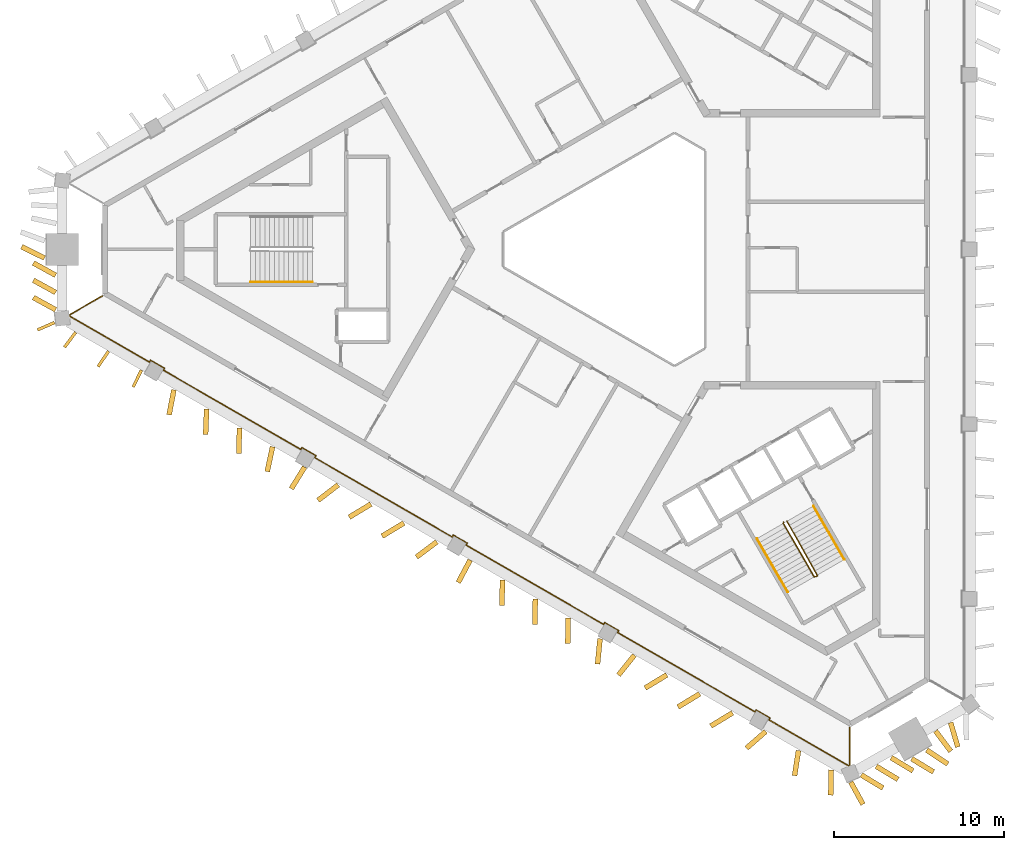
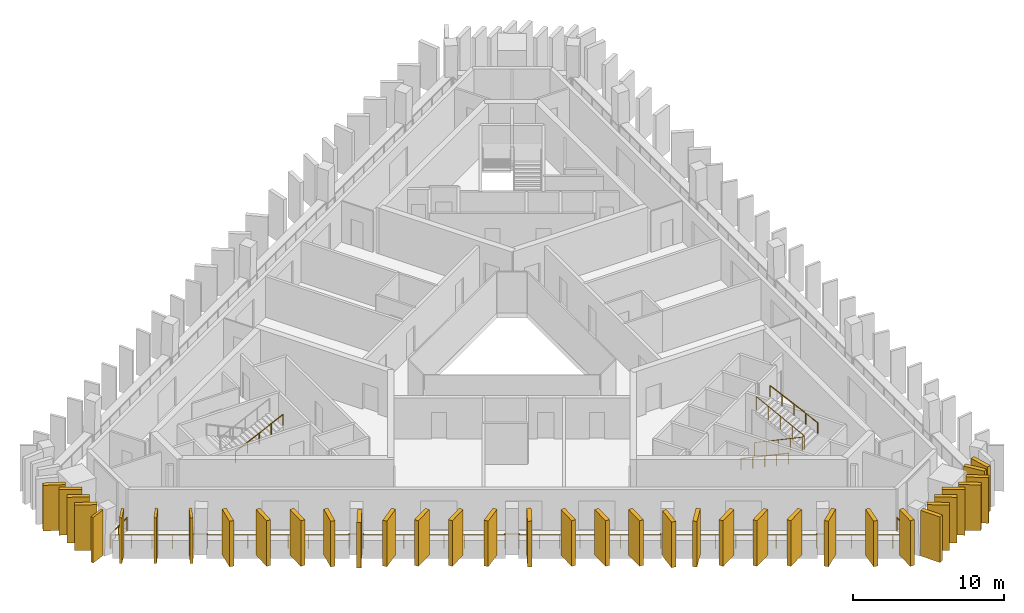
# One storey, part 7 of 9: 37 shading devices, 5 railings.
"""IFC4 building model written with IfcOpenShell, lengths in metres."""

from ifc_helpers import new_model, si_unit, direction, frame, frame_2d, origin, origin_2d, place, context, subcontext, project, spatial, rectangle, circle, extrude, material, layer, layer_set, type_object, element, save


model = new_model("IFC4")

# Units and contexts
model_context = context("Model", 3, precision=1e-05, world=origin(), true_north=direction((0.0, 1.0)))
body_context = subcontext(model_context, "Body", "Model", "MODEL_VIEW")
ifc_project = project(units=[si_unit("LENGTHUNIT", "METRE"), si_unit("AREAUNIT", "SQUARE_METRE"), si_unit("VOLUMEUNIT", "CUBIC_METRE"), si_unit("PLANEANGLEUNIT", "RADIAN"), si_unit("MASSUNIT", "GRAM", prefix="KILO")], contexts=[model_context])

# Site, building, storey
site_placement = place(None, origin())
site = spatial("IfcSite", under=ifc_project, at=site_placement, CompositionType="ELEMENT")
building_placement = place(site_placement, origin())
building = spatial("IfcBuilding", under=site, at=building_placement, Name="Jabali Bay Hotel Tower and Convention Centre", CompositionType="ELEMENT")
storey_placement = place(building_placement, frame((0.0, 0.0, 220.60009765625)))
storey = spatial("IfcBuildingStorey", under=building, at=storey_placement, Name="L54", CompositionType="ELEMENT", Elevation=220.60009765625)

# Railing
ifc_material_1 = material(Name="Glass", Category="glass")
railing_type_1 = type_object("IfcRailingType", Name="Loggia glass guard 1100", PredefinedType="BALUSTRADE", material=ifc_material_1)
railing_1_placement = place(storey_placement, frame((88.104736328125, 51.8203125, 0.0)))
element("IfcRailing", 1, at=railing_1_placement, inside=storey, type_object=railing_type_1, Name="Loggia glass guard L54", PredefinedType="BALUSTRADE", context=body_context, shape_type="SweptSolid", body=[
    extrude(circle(Radius=0.02490234375, at=origin_2d()), frame((0.0, 0.0, 1.0751953125), z_axis=(0.0, -1.0, 0.0), x_axis=(0.991444861374, 0.0, 0.13052619222)), (0.0, 0.0, 1.0), 2.24755859375),
    extrude(circle(Radius=0.02490234375, at=origin_2d()), frame((0.0, -2.24755859375, 1.0751953125), z_axis=(-0.921017487124, -0.389521229732, 0.0), x_axis=(0.386188821614, -0.913138054844, 0.13052619222)), (0.0, 0.0, 1.0), 0.067138671875),
    extrude(circle(Radius=0.02490234375, at=origin_2d()), frame((-0.061767578125, -2.273681640625, 1.0751953125), z_axis=(-0.866047140271, 0.499962349412, 0.0), x_axis=(-0.495685102204, -0.858637986929, 0.13052619222)), (0.0, 0.0, 1.0), 5.4326171875),
    extrude(circle(Radius=0.02490234375, at=origin_2d()), frame((-4.7666015625, 0.4423828125, 1.0751953125), z_axis=(0.499497219344, 0.8663154898, 0.0), x_axis=(-0.858904040691, 0.495223951389, 0.13052619222)), (0.0, 0.0, 1.0), 0.125244140625),
    extrude(circle(Radius=0.02490234375, at=origin_2d()), frame((-4.7041015625, 0.55078125, 1.0751953125), z_axis=(-0.866035761792, 0.499982058975, 0.0), x_axis=(-0.49570464315, -0.858626705795, 0.13052619222)), (0.0, 0.0, 1.0), 0.94970703125),
    extrude(circle(Radius=0.02490234375, at=origin_2d()), frame((-5.526611328125, 1.025634765625, 1.0751953125), z_axis=(-0.500342721131, -0.865827443207, 0.0), x_axis=(0.858420169404, -0.496062219791, 0.13052619222)), (0.0, 0.0, 1.0), 0.125),
    extrude(circle(Radius=0.02490234375, at=origin_2d()), frame((-5.589111328125, 0.91748046875, 1.0751953125), z_axis=(-0.866025262398, 0.500000244889, 0.0), x_axis=(-0.495722673481, -0.858616296224, 0.13052619222)), (0.0, 0.0, 1.0), 9.357421875),
    extrude(circle(Radius=0.02490234375, at=origin_2d()), frame((-13.69287109375, 5.59619140625, 1.0751953125), z_axis=(0.500342721131, 0.865827443207, 0.0), x_axis=(-0.858420169404, 0.496062219791, 0.13052619222)), (0.0, 0.0, 1.0), 0.125),
    extrude(circle(Radius=0.02490234375, at=origin_2d()), frame((-13.63037109375, 5.704345703125, 1.0751953125), z_axis=(-0.865988727248, 0.500063520245, 0.0), x_axis=(-0.495785407507, -0.858580073638, 0.13052619222)), (0.0, 0.0, 1.0), 0.9501953125),
    extrude(circle(Radius=0.02490234375, at=origin_2d()), frame((-14.453125, 6.179443359375, 1.0751953125), z_axis=(-0.500342721131, -0.865827443207, 0.0), x_axis=(0.858420169404, -0.496062219791, 0.13052619222)), (0.0, 0.0, 1.0), 0.125),
    extrude(circle(Radius=0.02490234375, at=origin_2d()), frame((-14.515625, 6.0712890625, 1.0751953125), z_axis=(-0.866036559889, 0.499980676563, 0.0), x_axis=(-0.495703272564, -0.858627497064, 0.13052619222)), (0.0, 0.0, 1.0), 9.357177734375),
    extrude(circle(Radius=0.02490234375, at=origin_2d()), frame((-22.619384765625, 10.749755859375, 1.0751953125), z_axis=(0.499497219344, 0.8663154898, 0.0), x_axis=(-0.858904040691, 0.495223951389, 0.13052619222)), (0.0, 0.0, 1.0), 0.125244140625),
    extrude(circle(Radius=0.02490234375, at=origin_2d()), frame((-22.556884765625, 10.858154296875, 1.0751953125), z_axis=(-0.866100000774, 0.49987077196, 0.0), x_axis=(-0.495594308211, -0.858690395203, 0.13052619222)), (0.0, 0.0, 1.0), 0.949951171875),
    extrude(circle(Radius=0.02490234375, at=origin_2d()), frame((-23.379638671875, 11.3330078125, 1.0751953125), z_axis=(-0.500342721131, -0.865827443207, 0.0), x_axis=(0.858420169404, -0.496062219791, 0.13052619222)), (0.0, 0.0, 1.0), 0.125),
    extrude(circle(Radius=0.02490234375, at=origin_2d()), frame((-23.442138671875, 11.224853515625, 1.0751953125), z_axis=(-0.866025262398, 0.500000244889, 0.0), x_axis=(-0.495722673481, -0.858616296224, 0.13052619222)), (0.0, 0.0, 1.0), 9.357421875),
    extrude(circle(Radius=0.02490234375, at=origin_2d()), frame((-31.5458984375, 15.903564453125, 1.0751953125), z_axis=(0.500342721131, 0.865827443207, 0.0), x_axis=(-0.858420169404, 0.496062219791, 0.13052619222)), (0.0, 0.0, 1.0), 0.125),
    extrude(circle(Radius=0.02490234375, at=origin_2d()), frame((-31.4833984375, 16.01171875, 1.0751953125), z_axis=(-0.865988727248, 0.500063520245, 0.0), x_axis=(-0.495785407507, -0.858580073638, 0.13052619222)), (0.0, 0.0, 1.0), 0.9501953125),
    extrude(circle(Radius=0.02490234375, at=origin_2d()), frame((-32.30615234375, 16.48681640625, 1.0751953125), z_axis=(-0.500342721131, -0.865827443207, 0.0), x_axis=(0.858420169404, -0.496062219791, 0.13052619222)), (0.0, 0.0, 1.0), 0.125),
    extrude(circle(Radius=0.02490234375, at=origin_2d()), frame((-32.36865234375, 16.378662109375, 1.0751953125), z_axis=(-0.866030037437, 0.499991974193, 0.0), x_axis=(-0.495714473541, -0.858621030412, 0.13052619222)), (0.0, 0.0, 1.0), 9.357177734375),
    extrude(circle(Radius=0.02490234375, at=origin_2d()), frame((-40.47216796875, 21.05712890625, 1.0751953125), z_axis=(0.499497219344, 0.8663154898, 0.0), x_axis=(-0.858904040691, 0.495223951389, 0.13052619222)), (0.0, 0.0, 1.0), 0.125244140625),
    extrude(circle(Radius=0.02490234375, at=origin_2d()), frame((-40.40966796875, 21.16552734375, 1.0751953125), z_axis=(-0.866100000774, 0.49987077196, 0.0), x_axis=(-0.495594308211, -0.858690395203, 0.13052619222)), (0.0, 0.0, 1.0), 0.949951171875),
    extrude(circle(Radius=0.02490234375, at=origin_2d()), frame((-41.232421875, 21.640380859375, 1.0751953125), z_axis=(-0.500342721131, -0.865827443207, 0.0), x_axis=(0.858420169404, -0.496062219791, 0.13052619222)), (0.0, 0.0, 1.0), 0.125),
    extrude(circle(Radius=0.02490234375, at=origin_2d()), frame((-41.294921875, 21.5322265625, 1.0751953125), z_axis=(-0.866027681249, 0.499996055294, 0.0), x_axis=(-0.495718519729, -0.858618694382, 0.13052619222)), (0.0, 0.0, 1.0), 5.4326171875),
    extrude(circle(Radius=0.02490234375, at=origin_2d()), frame((-45.999755859375, 24.24853515625, 1.0751953125), z_axis=(-0.120005554105, 0.99277322032, 0.0), x_axis=(-0.984279907796, -0.118978889953, 0.13052619222)), (0.0, 0.0, 1.0), 0.067138671875),
    extrude(circle(Radius=0.02490234375, at=origin_2d()), frame((-46.0078125, 24.315185546875, 1.0751953125), z_axis=(0.866082486575, 0.499901116671, 0.0), x_axis=(-0.495624393318, 0.85867303084, 0.13052619222)), (0.0, 0.0, 1.0), 2.24755859375),
    extrude(circle(Radius=0.02001953125, at=origin_2d()), origin(), (0.0, 0.0, 1.0), 1.050048828125),
    extrude(circle(Radius=0.02001953125, at=origin_2d()), frame((0.0, -1.123779296875, 0.0)), (0.0, 0.0, 1.0), 1.050048828125),
    extrude(circle(Radius=0.02001953125, at=origin_2d()), frame((0.0, -2.24755859375, 0.0)), (0.0, 0.0, 1.0), 1.050048828125),
    extrude(circle(Radius=0.02001953125, at=origin_2d()), frame((-0.061767578125, -2.273681640625, 0.0)), (0.0, 0.0, 1.0), 1.050048828125),
    extrude(circle(Radius=0.02001953125, at=origin_2d()), frame((-1.238037109375, -1.5947265625, 0.0)), (0.0, 0.0, 1.0), 1.050048828125),
    extrude(circle(Radius=0.02001953125, at=origin_2d()), frame((-2.4140625, -0.91552734375, 0.0)), (0.0, 0.0, 1.0), 1.050048828125),
    extrude(circle(Radius=0.02001953125, at=origin_2d()), frame((-3.59033203125, -0.236572265625, 0.0)), (0.0, 0.0, 1.0), 1.050048828125),
    extrude(circle(Radius=0.02001953125, at=origin_2d()), frame((-4.7666015625, 0.4423828125, 0.0)), (0.0, 0.0, 1.0), 1.050048828125),
    extrude(circle(Radius=0.02001953125, at=origin_2d()), frame((-4.7041015625, 0.55078125, 0.0)), (0.0, 0.0, 1.0), 1.050048828125),
    extrude(circle(Radius=0.02001953125, at=origin_2d()), frame((-5.526611328125, 1.025634765625, 0.0)), (0.0, 0.0, 1.0), 1.050048828125),
    extrude(circle(Radius=0.02001953125, at=origin_2d()), frame((-5.589111328125, 0.91748046875, 0.0)), (0.0, 0.0, 1.0), 1.050048828125),
    extrude(circle(Radius=0.02001953125, at=origin_2d()), frame((-6.746826171875, 1.5859375, 0.0)), (0.0, 0.0, 1.0), 1.050048828125),
    extrude(circle(Radius=0.02001953125, at=origin_2d()), frame((-7.904541015625, 2.254150390625, 0.0)), (0.0, 0.0, 1.0), 1.050048828125),
    extrude(circle(Radius=0.02001953125, at=origin_2d()), frame((-9.062255859375, 2.922607421875, 0.0)), (0.0, 0.0, 1.0), 1.050048828125),
    extrude(circle(Radius=0.02001953125, at=origin_2d()), frame((-10.2197265625, 3.591064453125, 0.0)), (0.0, 0.0, 1.0), 1.050048828125),
    extrude(circle(Radius=0.02001953125, at=origin_2d()), frame((-11.37744140625, 4.259521484375, 0.0)), (0.0, 0.0, 1.0), 1.050048828125),
    extrude(circle(Radius=0.02001953125, at=origin_2d()), frame((-12.53515625, 4.927734375, 0.0)), (0.0, 0.0, 1.0), 1.050048828125),
    extrude(circle(Radius=0.02001953125, at=origin_2d()), frame((-13.69287109375, 5.59619140625, 0.0)), (0.0, 0.0, 1.0), 1.050048828125),
    extrude(circle(Radius=0.02001953125, at=origin_2d()), frame((-13.63037109375, 5.704345703125, 0.0)), (0.0, 0.0, 1.0), 1.050048828125),
    extrude(circle(Radius=0.02001953125, at=origin_2d()), frame((-14.453125, 6.179443359375, 0.0)), (0.0, 0.0, 1.0), 1.050048828125),
    extrude(circle(Radius=0.02001953125, at=origin_2d()), frame((-14.515625, 6.0712890625, 0.0)), (0.0, 0.0, 1.0), 1.050048828125),
    extrude(circle(Radius=0.02001953125, at=origin_2d()), frame((-15.67333984375, 6.73974609375, 0.0)), (0.0, 0.0, 1.0), 1.050048828125),
    extrude(circle(Radius=0.02001953125, at=origin_2d()), frame((-16.8310546875, 7.407958984375, 0.0)), (0.0, 0.0, 1.0), 1.050048828125),
    extrude(circle(Radius=0.02001953125, at=origin_2d()), frame((-17.98876953125, 8.076416015625, 0.0)), (0.0, 0.0, 1.0), 1.050048828125),
    extrude(circle(Radius=0.02001953125, at=origin_2d()), frame((-19.146240234375, 8.74462890625, 0.0)), (0.0, 0.0, 1.0), 1.050048828125),
    extrude(circle(Radius=0.02001953125, at=origin_2d()), frame((-20.303955078125, 9.4130859375, 0.0)), (0.0, 0.0, 1.0), 1.050048828125),
    extrude(circle(Radius=0.02001953125, at=origin_2d()), frame((-21.461669921875, 10.081298828125, 0.0)), (0.0, 0.0, 1.0), 1.050048828125),
    extrude(circle(Radius=0.02001953125, at=origin_2d()), frame((-22.619384765625, 10.749755859375, 0.0)), (0.0, 0.0, 1.0), 1.050048828125),
    extrude(circle(Radius=0.02001953125, at=origin_2d()), frame((-22.556884765625, 10.858154296875, 0.0)), (0.0, 0.0, 1.0), 1.050048828125),
    extrude(circle(Radius=0.02001953125, at=origin_2d()), frame((-23.379638671875, 11.3330078125, 0.0)), (0.0, 0.0, 1.0), 1.050048828125),
    extrude(circle(Radius=0.02001953125, at=origin_2d()), frame((-23.442138671875, 11.224853515625, 0.0)), (0.0, 0.0, 1.0), 1.050048828125),
    extrude(circle(Radius=0.02001953125, at=origin_2d()), frame((-24.599853515625, 11.893310546875, 0.0)), (0.0, 0.0, 1.0), 1.050048828125),
    extrude(circle(Radius=0.02001953125, at=origin_2d()), frame((-25.757568359375, 12.5615234375, 0.0)), (0.0, 0.0, 1.0), 1.050048828125),
    extrude(circle(Radius=0.02001953125, at=origin_2d()), frame((-26.915283203125, 13.22998046875, 0.0)), (0.0, 0.0, 1.0), 1.050048828125),
    extrude(circle(Radius=0.02001953125, at=origin_2d()), frame((-28.07275390625, 13.8984375, 0.0)), (0.0, 0.0, 1.0), 1.050048828125),
    extrude(circle(Radius=0.02001953125, at=origin_2d()), frame((-29.23046875, 14.56689453125, 0.0)), (0.0, 0.0, 1.0), 1.050048828125),
    extrude(circle(Radius=0.02001953125, at=origin_2d()), frame((-30.38818359375, 15.235107421875, 0.0)), (0.0, 0.0, 1.0), 1.050048828125),
    extrude(circle(Radius=0.02001953125, at=origin_2d()), frame((-31.5458984375, 15.903564453125, 0.0)), (0.0, 0.0, 1.0), 1.050048828125),
    extrude(circle(Radius=0.02001953125, at=origin_2d()), frame((-31.4833984375, 16.01171875, 0.0)), (0.0, 0.0, 1.0), 1.050048828125),
    extrude(circle(Radius=0.02001953125, at=origin_2d()), frame((-32.30615234375, 16.48681640625, 0.0)), (0.0, 0.0, 1.0), 1.050048828125),
    extrude(circle(Radius=0.02001953125, at=origin_2d()), frame((-32.36865234375, 16.378662109375, 0.0)), (0.0, 0.0, 1.0), 1.050048828125),
    extrude(circle(Radius=0.02001953125, at=origin_2d()), frame((-33.5263671875, 17.047119140625, 0.0)), (0.0, 0.0, 1.0), 1.050048828125),
    extrude(circle(Radius=0.02001953125, at=origin_2d()), frame((-34.683837890625, 17.71533203125, 0.0)), (0.0, 0.0, 1.0), 1.050048828125),
    extrude(circle(Radius=0.02001953125, at=origin_2d()), frame((-35.841552734375, 18.3837890625, 0.0)), (0.0, 0.0, 1.0), 1.050048828125),
    extrude(circle(Radius=0.02001953125, at=origin_2d()), frame((-36.999267578125, 19.052001953125, 0.0)), (0.0, 0.0, 1.0), 1.050048828125),
    extrude(circle(Radius=0.02001953125, at=origin_2d()), frame((-38.156982421875, 19.720458984375, 0.0)), (0.0, 0.0, 1.0), 1.050048828125),
    extrude(circle(Radius=0.02001953125, at=origin_2d()), frame((-39.314453125, 20.388671875, 0.0)), (0.0, 0.0, 1.0), 1.050048828125),
    extrude(circle(Radius=0.02001953125, at=origin_2d()), frame((-40.47216796875, 21.05712890625, 0.0)), (0.0, 0.0, 1.0), 1.050048828125),
    extrude(circle(Radius=0.02001953125, at=origin_2d()), frame((-40.40966796875, 21.16552734375, 0.0)), (0.0, 0.0, 1.0), 1.050048828125),
    extrude(circle(Radius=0.02001953125, at=origin_2d()), frame((-41.232421875, 21.640380859375, 0.0)), (0.0, 0.0, 1.0), 1.050048828125),
    extrude(circle(Radius=0.02001953125, at=origin_2d()), frame((-41.294921875, 21.5322265625, 0.0)), (0.0, 0.0, 1.0), 1.050048828125),
    extrude(circle(Radius=0.02001953125, at=origin_2d()), frame((-42.47119140625, 22.21142578125, 0.0)), (0.0, 0.0, 1.0), 1.050048828125),
    extrude(circle(Radius=0.02001953125, at=origin_2d()), frame((-43.6474609375, 22.890380859375, 0.0)), (0.0, 0.0, 1.0), 1.050048828125),
    extrude(circle(Radius=0.02001953125, at=origin_2d()), frame((-44.823486328125, 23.5693359375, 0.0)), (0.0, 0.0, 1.0), 1.050048828125),
    extrude(circle(Radius=0.02001953125, at=origin_2d()), frame((-45.999755859375, 24.24853515625, 0.0)), (0.0, 0.0, 1.0), 1.050048828125),
    extrude(circle(Radius=0.02001953125, at=origin_2d()), frame((-46.0078125, 24.315185546875, 0.0)), (0.0, 0.0, 1.0), 1.050048828125),
    extrude(circle(Radius=0.02001953125, at=origin_2d()), frame((-45.03466796875, 24.876953125, 0.0)), (0.0, 0.0, 1.0), 1.050048828125),
    extrude(circle(Radius=0.02001953125, at=origin_2d()), frame((-44.061279296875, 25.438720703125, 0.0)), (0.0, 0.0, 1.0), 1.050048828125),
])

# Shading devices
ifc_material_2 = material(Name="Precast concrete C60", Category="concrete")
ifc_layer_1 = layer(ifc_material_2, 0.179931640625)
ifc_layer_set_1 = layer_set([ifc_layer_1], Name="Precast concrete C60")
shading_device_type_1 = type_object("IfcShadingDeviceType", Name="Precast fin 3680 x 1100", PredefinedType="USERDEFINED", material=ifc_layer_set_1)
shading_device_1_placement = place(storey_placement, frame((42.4609375, 75.109375, 0.010009765625), z_axis=(0.0, 0.0, 1.0), x_axis=(-0.597332981863, -0.801993334623, 0.0)))
element("IfcShadingDevice", 2, at=shading_device_1_placement, inside=storey, type_object=shading_device_type_1, Name="Fin L54 064", ObjectType="FIN", PredefinedType="USERDEFINED", context=body_context, shape_type="SweptSolid", body=[
    extrude(rectangle(XDim=1.099853515625, YDim=0.179931640625, at=frame_2d((0.5498046875, 0.0))), origin(), (0.0, 0.0, 1.0), 3.679931640625),
])
for number, where, z_axis, x_axis, name in (
    (3, (44.400634765625, 73.993896484375, 0.010009765625), (0.0, 0.0, 1.0), (-0.563681082998, -0.82599251611, 0.0), "Fin L54 065"),
    (4, (46.339111328125, 72.875732421875, 0.010009765625), (0.0, 0.0, 1.0), (-0.441879146179, -0.897074590083, 0.0), "Fin L54 066"),
):
    element("IfcShadingDevice", number, at=place(storey_placement, frame(where, z_axis=z_axis, x_axis=x_axis)), inside=storey, type_object=shading_device_type_1, Name=name, ObjectType="FIN", PredefinedType="USERDEFINED", context=body_context, shape_type="SweptSolid", body=[
        extrude(rectangle(XDim=1.10009765625, YDim=0.179931640625, at=frame_2d((0.550048828125, 0.0))), origin(), (0.0, 0.0, 1.0), 3.679931640625),
    ])
shading_device_2_placement = place(storey_placement, frame((41.2197265625, 75.686767578125, 0.010009765625), z_axis=(0.0, 0.0, 1.0), x_axis=(-0.918258692568, -0.39598102672, 0.0)))
element("IfcShadingDevice", 5, at=shading_device_2_placement, inside=storey, type_object=shading_device_type_1, Name="Fin L54 100", ObjectType="FIN", PredefinedType="USERDEFINED", context=body_context, shape_type="SweptSolid", body=[
    extrude(rectangle(XDim=1.099853515625, YDim=0.179931640625, at=frame_2d((0.5498046875, 0.0))), origin(), (0.0, 0.0, 1.0), 3.679931640625),
])
ifc_layer_2 = layer(ifc_material_2, 0.300048828125)
ifc_layer_set_2 = layer_set([ifc_layer_2], Name="Precast concrete C60")
shading_device_type_2 = type_object("IfcShadingDeviceType", Name="Precast fin 3680 x 1500", PredefinedType="USERDEFINED", material=ifc_layer_set_2)
for number, where, z_axis, x_axis, name in (
    (6, (40.62744140625, 79.491455078125, 0.010009765625), (0.0, 0.0, 1.0), (-0.89650085707, 0.443041999445, 0.0), "Fin L54 060"),
    (7, (41.2841796875, 78.47412109375, 0.010009765625), (0.0, 0.0, 1.0), (-0.875947742748, 0.482406003253, 0.0), "Fin L54 061"),
    (8, (41.2841796875, 77.45703125, 0.010009765625), (0.0, 0.0, 1.0), (-0.876016513422, 0.482281109117, 0.0), "Fin L54 062"),
    (9, (41.2841796875, 76.43994140625, 0.010009765625), (0.0, 0.0, 1.0), (-0.876016513422, 0.482281109117, 0.0), "Fin L54 063"),
    (10, (48.255615234375, 71.719482421875, 0.010009765625), (0.0, 0.0, 1.0), (-0.190259747508, -0.98173378697, 0.0), "Fin L54 067"),
    (11, (50.18310546875, 70.58251953125, 0.010009765625), (0.0, 0.0, 1.0), (-0.039552020782, -0.999217512683, 0.0), "Fin L54 068"),
    (12, (52.1201171875, 69.4619140625, 0.010009765625), (0.0, 0.0, 1.0), (-0.024740064393, -0.999693917764, 0.0), "Fin L54 069"),
    (13, (54.07080078125, 68.365234375, 0.010009765625), (0.0, 0.0, 1.0), (-0.209306779715, -0.977850025293, 0.0), "Fin L54 070"),
    (14, (55.96337890625, 67.167724609375, 0.010009765625), (0.0, 0.0, 1.0), (-0.525749294566, -0.850639570713, 0.0), "Fin L54 071"),
    (15, (57.941162109375, 66.11767578125, 0.010009765625), (0.0, 0.0, 1.0), (-0.793488457169, -0.608585300791, 0.0), "Fin L54 072"),
    (16, (59.871826171875, 64.98583984375, 0.010009765625), (0.0, 0.0, 1.0), (-0.85575041753, -0.517388850766, 0.0), "Fin L54 073"),
):
    element("IfcShadingDevice", number, at=place(storey_placement, frame(where, z_axis=z_axis, x_axis=x_axis)), inside=storey, type_object=shading_device_type_2, Name=name, ObjectType="FIN", PredefinedType="USERDEFINED", context=body_context, shape_type="SweptSolid", body=[
        extrude(rectangle(XDim=1.5, YDim=0.300048828125, at=frame_2d((0.75, 0.0))), origin(), (0.0, 0.0, 1.0), 3.679931640625),
    ])
shading_device_3_placement = place(storey_placement, frame((61.8095703125, 63.866943359375, 0.010009765625), z_axis=(0.0, 0.0, 1.0), x_axis=(-0.855706841124, -0.517460918382, 0.0)))
element("IfcShadingDevice", 17, at=shading_device_3_placement, inside=storey, type_object=shading_device_type_2, Name="Fin L54 074", ObjectType="FIN", PredefinedType="USERDEFINED", context=body_context, shape_type="SweptSolid", body=[
    extrude(rectangle(XDim=1.499755859375, YDim=0.300048828125, at=frame_2d((0.75, 0.0))), origin(), (0.0, 0.0, 1.0), 3.679931640625),
])
for number, where, z_axis, x_axis, name in (
    (18, (63.754150390625, 62.759521484375, 0.010009765625), (0.0, 0.0, 1.0), (-0.801540218279, -0.597940865372, 0.0), "Fin L54 075"),
    (19, (65.71923828125, 61.687255859375, 0.010009765625), (0.0, 0.0, 1.0), (-0.469599475533, -0.882879568559, 0.0), "Fin L54 076"),
):
    element("IfcShadingDevice", number, at=place(storey_placement, frame(where, z_axis=z_axis, x_axis=x_axis)), inside=storey, type_object=shading_device_type_2, Name=name, ObjectType="FIN", PredefinedType="USERDEFINED", context=body_context, shape_type="SweptSolid", body=[
        extrude(rectangle(XDim=1.5, YDim=0.300048828125, at=frame_2d((0.75, 0.0))), origin(), (0.0, 0.0, 1.0), 3.679931640625),
    ])
for number, where, z_axis, x_axis, name in (
    (20, (67.62353515625, 60.51025390625, 0.010009765625), (0.0, 0.0, 1.0), (-0.020347463549, -0.999792968933, 0.0), "Fin L54 077"),
    (21, (69.5615234375, 59.391357421875, 0.010009765625), (0.0, 0.0, 1.0), (-0.020347463549, -0.999792968933, 0.0), "Fin L54 078"),
    (22, (71.49951171875, 58.2724609375, 0.010009765625), (0.0, 0.0, 1.0), (-0.020347463549, -0.999792968933, 0.0), "Fin L54 079"),
):
    element("IfcShadingDevice", number, at=place(storey_placement, frame(where, z_axis=z_axis, x_axis=x_axis)), inside=storey, type_object=shading_device_type_2, Name=name, ObjectType="FIN", PredefinedType="USERDEFINED", context=body_context, shape_type="SweptSolid", body=[
        extrude(rectangle(XDim=1.499755859375, YDim=0.300048828125, at=frame_2d((0.75, 0.0))), origin(), (0.0, 0.0, 1.0), 3.679931640625),
    ])
for number, where, z_axis, x_axis, name in (
    (23, (73.37646484375, 57.048095703125, 0.010009765625), (0.0, 0.0, 1.0), (-0.099116970169, -0.995075789186, 0.0), "Fin L54 080"),
    (24, (75.400390625, 56.077880859375, 0.010009765625), (0.0, 0.0, 1.0), (-0.624476698237, -0.781043438843, 0.0), "Fin L54 081"),
    (25, (77.3134765625, 54.916015625, 0.010009765625), (0.0, 0.0, 1.0), (-0.855634763077, -0.51758009256, 0.0), "Fin L54 082"),
):
    element("IfcShadingDevice", number, at=place(storey_placement, frame(where, z_axis=z_axis, x_axis=x_axis)), inside=storey, type_object=shading_device_type_2, Name=name, ObjectType="FIN", PredefinedType="USERDEFINED", context=body_context, shape_type="SweptSolid", body=[
        extrude(rectangle(XDim=1.5, YDim=0.300048828125, at=frame_2d((0.75, 0.0))), origin(), (0.0, 0.0, 1.0), 3.679931640625),
    ])
for number, where, z_axis, x_axis, name in (
    (26, (79.25146484375, 53.797119140625, 0.010009765625), (0.0, 0.0, 1.0), (-0.855678355886, -0.517508020487, 0.0), "Fin L54 083"),
    (27, (81.189453125, 52.67822265625, 0.010009765625), (0.0, 0.0, 1.0), (-0.855678355886, -0.517508020487, 0.0), "Fin L54 084"),
):
    element("IfcShadingDevice", number, at=place(storey_placement, frame(where, z_axis=z_axis, x_axis=x_axis)), inside=storey, type_object=shading_device_type_2, Name=name, ObjectType="FIN", PredefinedType="USERDEFINED", context=body_context, shape_type="SweptSolid", body=[
        extrude(rectangle(XDim=1.500244140625, YDim=0.300048828125, at=frame_2d((0.75, 0.0))), origin(), (0.0, 0.0, 1.0), 3.679931640625),
    ])
for number, where, z_axis, x_axis, name in (
    (28, (83.13916015625, 51.579833984375, 0.010009765625), (0.0, 0.0, 1.0), (-0.753412929214, -0.657547685034, 0.0), "Fin L54 085"),
    (29, (85.074462890625, 50.456298828125, 0.010009765625), (0.0, 0.0, 1.0), (-0.154625132097, -0.987973212453, 0.0), "Fin L54 086"),
    (30, (87.00341796875, 49.321533203125, 0.010009765625), (0.0, 0.0, 1.0), (-0.020994882993, -0.999779583152, 0.0), "Fin L54 087"),
    (31, (88.774658203125, 49.021240234375, 0.010009765625), (0.0, 0.0, 1.0), (0.855634763077, -0.51758009256, 0.0), "Fin L54 088"),
    (32, (89.655517578125, 49.52978515625, 0.010009765625), (0.0, 0.0, 1.0), (0.85575041753, -0.517388850766, 0.0), "Fin L54 089"),
):
    element("IfcShadingDevice", number, at=place(storey_placement, frame(where, z_axis=z_axis, x_axis=x_axis)), inside=storey, type_object=shading_device_type_2, Name=name, ObjectType="FIN", PredefinedType="USERDEFINED", context=body_context, shape_type="SweptSolid", body=[
        extrude(rectangle(XDim=1.5, YDim=0.300048828125, at=frame_2d((0.75, 0.0))), origin(), (0.0, 0.0, 1.0), 3.679931640625),
    ])
for number, where, z_axis, x_axis, name in (
    (33, (90.53662109375, 50.038330078125, 0.010009765625), (0.0, 0.0, 1.0), (0.855706841124, -0.517460918382, 0.0), "Fin L54 090"),
    (34, (91.748779296875, 49.97314453125, 0.010009765625), (0.0, 0.0, 1.0), (0.855706841124, -0.517460918382, 0.0), "Fin L54 091"),
):
    element("IfcShadingDevice", number, at=place(storey_placement, frame(where, z_axis=z_axis, x_axis=x_axis)), inside=storey, type_object=shading_device_type_2, Name=name, ObjectType="FIN", PredefinedType="USERDEFINED", context=body_context, shape_type="SweptSolid", body=[
        extrude(rectangle(XDim=1.499755859375, YDim=0.300048828125, at=frame_2d((0.75, 0.0))), origin(), (0.0, 0.0, 1.0), 3.679931640625),
    ])
for number, where, z_axis, x_axis, name in (
    (35, (92.626953125, 50.486328125, 0.010009765625), (0.0, 0.0, 1.0), (0.834321952553, -0.551277497717, 0.0), "Fin L54 092"),
    (36, (93.152099609375, 51.611083984375, 0.010009765625), (0.0, 0.0, 1.0), (0.60119716477, -0.799100725236, 0.0), "Fin L54 093"),
):
    element("IfcShadingDevice", number, at=place(storey_placement, frame(where, z_axis=z_axis, x_axis=x_axis)), inside=storey, type_object=shading_device_type_2, Name=name, ObjectType="FIN", PredefinedType="USERDEFINED", context=body_context, shape_type="SweptSolid", body=[
        extrude(rectangle(XDim=1.5, YDim=0.300048828125, at=frame_2d((0.75, 0.0))), origin(), (0.0, 0.0, 1.0), 3.679931640625),
    ])
shading_device_4_placement = place(storey_placement, frame((94.041748046875, 52.10498046875, 0.010009765625), z_axis=(0.0, 0.0, 1.0), x_axis=(0.282192756327, -0.959357726959, 0.0)))
element("IfcShadingDevice", 37, at=shading_device_4_placement, inside=storey, type_object=shading_device_type_2, Name="Fin L54 094", ObjectType="FIN", PredefinedType="USERDEFINED", context=body_context, shape_type="SweptSolid", body=[
    extrude(rectangle(XDim=1.500244140625, YDim=0.300048828125, at=frame_2d((0.75, 0.0))), origin(), (0.0, 0.0, 1.0), 3.679931640625),
])
shading_device_5_placement = place(storey_placement, frame((88.154541015625, 48.60009765625, 0.010009765625), z_axis=(0.0, 0.0, 1.0), x_axis=(0.481256360099, -0.876579897022, 0.0)))
element("IfcShadingDevice", 38, at=shading_device_5_placement, inside=storey, type_object=shading_device_type_2, Name="Fin L54 101", ObjectType="FIN", PredefinedType="USERDEFINED", context=body_context, shape_type="SweptSolid", body=[
    extrude(rectangle(XDim=1.5, YDim=0.300048828125, at=frame_2d((0.75, 0.0))), origin(), (0.0, 0.0, 1.0), 3.679931640625),
])

# Railings
ifc_material_3 = material(Name="Steel Q355B", Category="steel")
railing_type_2 = type_object("IfcRailingType", Name="Stair guard 1100", PredefinedType="GUARDRAIL", material=ifc_material_3)
railing_2_placement = place(storey_placement, frame((84.199951171875, 63.9150390625, 0.0)))
element("IfcRailing", 39, at=railing_2_placement, inside=storey, type_object=railing_type_2, Name="L54 ST3 stair guard 1", PredefinedType="GUARDRAIL", context=body_context, shape_type="SweptSolid", body=[
    extrude(circle(Radius=0.02392578125, at=origin_2d()), frame((0.0, 0.0, 1.076171875), z_axis=(-0.122196845461, -0.456201556387, 0.881446578591), x_axis=(0.965948051503, -0.258736085224, 0.0)), (0.0, 0.0, 1.0), 0.14990234375),
    extrude(circle(Radius=0.02392578125, at=origin_2d()), frame((-0.018310546875, -0.068359375, 1.2080078125), z_axis=(0.452190331055, -0.783190014029, 0.426775475427), x_axis=(0.866018046521, 0.500012742938, 0.0)), (0.0, 0.0, 1.0), 4.02490234375),
    extrude(circle(Radius=0.02392578125, at=origin_2d()), frame((1.8017578125, -3.220703125, 2.92578125), z_axis=(0.96121063429, 0.275815366736, 0.0), x_axis=(-0.275815366736, 0.96121063429, 0.0)), (0.0, 0.0, 1.0), 0.206298828125),
    extrude(circle(Radius=0.02392578125, at=origin_2d()), frame((2.0, -3.163818359375, 2.92578125), z_axis=(-0.436470229993, 0.780146179382, 0.448180406895), x_axis=(-0.872702246529, -0.488252792008, 0.0)), (0.0, 0.0, 1.0), 4.1279296875),
    extrude(circle(Radius=0.02099609375, at=origin_2d()), origin(), (0.0, 0.0, 1.0), 1.052001953125),
    extrude(circle(Radius=0.02099609375, at=origin_2d()), frame((-0.018310546875, -0.068359375, 0.132080078125)), (0.0, 0.0, 1.0), 1.052001953125),
    extrude(circle(Radius=0.02099609375, at=origin_2d()), frame((0.436767578125, -0.8564453125, 0.5615234375)), (0.0, 0.0, 1.0), 1.052001953125),
    extrude(circle(Radius=0.02099609375, at=origin_2d()), frame((0.8916015625, -1.64453125, 0.990966796875)), (0.0, 0.0, 1.0), 1.052001953125),
    extrude(circle(Radius=0.02099609375, at=origin_2d()), frame((1.3466796875, -2.4326171875, 1.42041015625)), (0.0, 0.0, 1.0), 1.052001953125),
    extrude(circle(Radius=0.02099609375, at=origin_2d()), frame((1.8017578125, -3.220703125, 1.849853515625)), (0.0, 0.0, 1.0), 1.052001953125),
    extrude(circle(Radius=0.02099609375, at=origin_2d()), frame((2.0, -3.163818359375, 1.849853515625)), (0.0, 0.0, 1.0), 1.052001953125),
    extrude(circle(Radius=0.02099609375, at=origin_2d()), frame((1.549560546875, -2.358642578125, 2.3125)), (0.0, 0.0, 1.0), 1.052001953125),
    extrude(circle(Radius=0.02099609375, at=origin_2d()), frame((1.09912109375, -1.5537109375, 2.77490234375)), (0.0, 0.0, 1.0), 1.052001953125),
    extrude(circle(Radius=0.02099609375, at=origin_2d()), frame((0.648681640625, -0.74853515625, 3.2373046875)), (0.0, 0.0, 1.0), 1.052001953125),
    extrude(circle(Radius=0.02099609375, at=origin_2d()), frame((0.1982421875, 0.056640625, 3.699951171875)), (0.0, 0.0, 1.0), 1.052001953125),
])
railing_type_3 = type_object("IfcRailingType", Name="Stair handrail 900", PredefinedType="HANDRAIL", material=ifc_material_3)
railing_3_placement = place(storey_placement, frame((52.780029296875, 78.074951171875, 1.98193359375)))
element("IfcRailing", 40, at=railing_3_placement, inside=storey, type_object=railing_type_3, Name="L54 ST1 stair handrail 2", PredefinedType="HANDRAIL", context=body_context, shape_type="SweptSolid", body=[
    extrude(circle(Radius=0.02392578125, at=origin_2d()), frame((0.0, 0.0, 0.8759765625), z_axis=(0.904327350853, 0.0, 0.426839598092), x_axis=(0.0, 1.0, 0.0)), (0.0, 0.0, 1.0), 4.02490234375),
    extrude(circle(Radius=0.02099609375, at=origin_2d()), origin(), (0.0, 0.0, 1.0), 0.851806640625),
    extrude(circle(Radius=0.02099609375, at=origin_2d()), frame((0.909912109375, 0.0, 0.429443359375)), (0.0, 0.0, 1.0), 0.851806640625),
    extrude(circle(Radius=0.02099609375, at=origin_2d()), frame((1.81982421875, 0.0, 0.85888671875)), (0.0, 0.0, 1.0), 0.851806640625),
    extrude(circle(Radius=0.02099609375, at=origin_2d()), frame((2.72998046875, 0.0, 1.28857421875)), (0.0, 0.0, 1.0), 0.851806640625),
    extrude(circle(Radius=0.02099609375, at=origin_2d()), frame((3.639892578125, 0.0, 1.718017578125)), (0.0, 0.0, 1.0), 0.851806640625),
])
railing_4_placement = place(storey_placement, frame((82.622802734375, 62.94677734375, 0.132080078125)))
element("IfcRailing", 41, at=railing_4_placement, inside=storey, type_object=railing_type_3, Name="L54 ST3 stair handrail 1", PredefinedType="HANDRAIL", context=body_context, shape_type="SweptSolid", body=[
    extrude(circle(Radius=0.02392578125, at=origin_2d()), frame((0.0, 0.0, 0.8759765625), z_axis=(0.452190331055, -0.783190014029, 0.426775475427), x_axis=(0.866018046521, 0.500012742938, 0.0)), (0.0, 0.0, 1.0), 4.02490234375),
    extrude(circle(Radius=0.02099609375, at=origin_2d()), origin(), (0.0, 0.0, 1.0), 0.851806640625),
    extrude(circle(Radius=0.02099609375, at=origin_2d()), frame((0.455078125, -0.7880859375, 0.429443359375)), (0.0, 0.0, 1.0), 0.851806640625),
    extrude(circle(Radius=0.02099609375, at=origin_2d()), frame((0.91015625, -1.576171875, 0.85888671875)), (0.0, 0.0, 1.0), 0.851806640625),
    extrude(circle(Radius=0.02099609375, at=origin_2d()), frame((1.364990234375, -2.3642578125, 1.288330078125)), (0.0, 0.0, 1.0), 0.851806640625),
    extrude(circle(Radius=0.02099609375, at=origin_2d()), frame((1.820068359375, -3.15234375, 1.7177734375)), (0.0, 0.0, 1.0), 0.851806640625),
])
railing_5_placement = place(storey_placement, frame((87.777099609375, 61.719482421875, 1.98193359375)))
element("IfcRailing", 42, at=railing_5_placement, inside=storey, type_object=railing_type_3, Name="L54 ST3 stair handrail 2", PredefinedType="HANDRAIL", context=body_context, shape_type="SweptSolid", body=[
    extrude(circle(Radius=0.02392578125, at=origin_2d()), frame((0.0, 0.0, 0.8759765625), z_axis=(-0.45217862506, 0.783169739339, 0.426825081763), x_axis=(-0.866018046521, -0.500012742938, 0.0)), (0.0, 0.0, 1.0), 4.025146484375),
    extrude(circle(Radius=0.02099609375, at=origin_2d()), origin(), (0.0, 0.0, 1.0), 0.851806640625),
    extrude(circle(Radius=0.02099609375, at=origin_2d()), frame((-0.455078125, 0.7880859375, 0.429443359375)), (0.0, 0.0, 1.0), 0.851806640625),
    extrude(circle(Radius=0.02099609375, at=origin_2d()), frame((-0.91015625, 1.576171875, 0.85888671875)), (0.0, 0.0, 1.0), 0.851806640625),
    extrude(circle(Radius=0.02099609375, at=origin_2d()), frame((-1.364990234375, 2.3642578125, 1.28857421875)), (0.0, 0.0, 1.0), 0.851806640625),
    extrude(circle(Radius=0.02099609375, at=origin_2d()), frame((-1.820068359375, 3.15234375, 1.718017578125)), (0.0, 0.0, 1.0), 0.851806640625),
])

save(model, "model.ifc")
